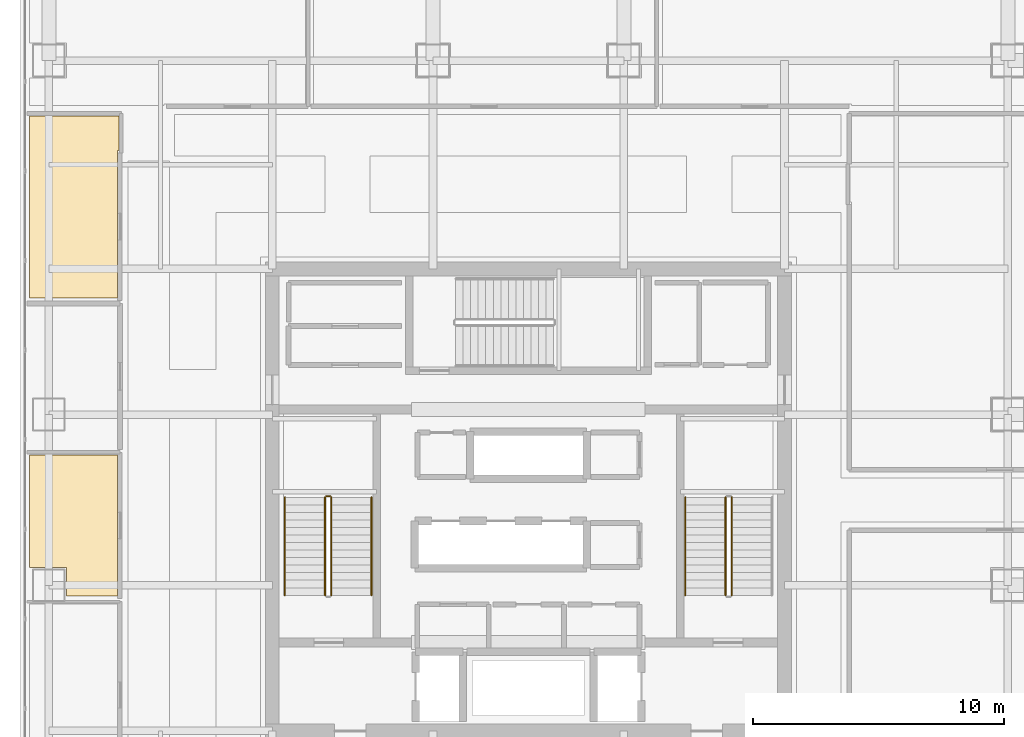
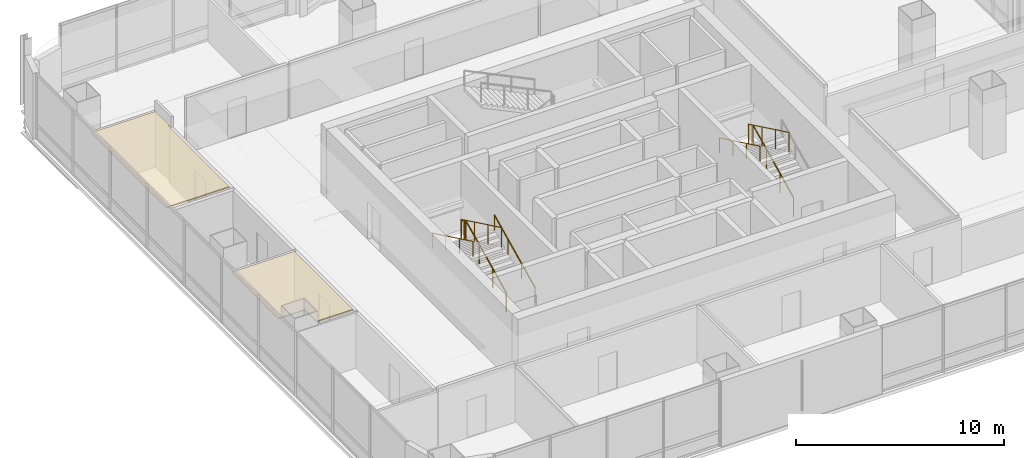
# One storey, part 38 of 44: 8 railings, 2 coverings.
"""IFC4 building model written with IfcOpenShell, lengths in metres."""

from ifc_helpers import new_model, si_unit, direction, frame, origin, origin_2d, place, context, subcontext, project, spatial, polyline, circle, outline, extrude, material, layer, layer_set, type_object, element, save


model = new_model("IFC4")

# Units and contexts
model_context = context("Model", 3, precision=1e-05, world=origin(), true_north=direction((0.0, 1.0)))
body_context = subcontext(model_context, "Body", "Model", "MODEL_VIEW")
ifc_project = project(units=[si_unit("LENGTHUNIT", "METRE"), si_unit("AREAUNIT", "SQUARE_METRE"), si_unit("VOLUMEUNIT", "CUBIC_METRE"), si_unit("PLANEANGLEUNIT", "RADIAN"), si_unit("MASSUNIT", "GRAM", prefix="KILO")], contexts=[model_context])

# Site, building, storey
site_placement = place(None, origin())
site = spatial("IfcSite", under=ifc_project, at=site_placement, CompositionType="ELEMENT")
building_placement = place(site_placement, origin())
building = spatial("IfcBuilding", under=site, at=building_placement, Name="Punatoya Terracotta Tower", CompositionType="ELEMENT")
storey_placement = place(building_placement, frame((0.0, 0.0, 267.60009765625)))
storey = spatial("IfcBuildingStorey", under=building, at=storey_placement, Name="L63", CompositionType="ELEMENT", Elevation=267.60009765625)

# Coverings
ifc_material_1 = material(Name="Acoustic Mineral Fibre Ceiling")
ifc_layer = layer(ifc_material_1, 0.06005859375)
ifc_layer_set = layer_set([ifc_layer], Name="Acoustic Mineral Fibre Ceiling")
covering_type = type_object("IfcCoveringType", Name="COV-CEIL-60", PredefinedType="CEILING", material=ifc_layer_set)
covering_1_placement = place(storey_placement, frame((0.0, 0.0, 3.239990234375)))
element("IfcCovering", 1, at=covering_1_placement, inside=storey, type_object=covering_type, Name="L63 Open-Plan Wellness Rest Room Acoustic Ceiling", PredefinedType="CEILING", context=body_context, shape_type="SweptSolid", body=[
    extrude(outline(polyline([(-19.8701171875, -2.699951171875), (-18.39990234375, -2.699951171875), (-18.39990234375, -3.830078125), (-16.3701171875, -3.830078125), (-16.3701171875, 1.7900390625), (-19.8701171875, 1.7900390625), (-19.8701171875, -2.699951171875)])), origin(), (0.0, 0.0, 1.0), 0.059814453125),
])
covering_2_placement = place(storey_placement, frame((0.0, 0.0, 3.239990234375)))
element("IfcCovering", 2, at=covering_2_placement, inside=storey, type_object=covering_type, Name="L63 Urban Analytics Laboratory Acoustic Ceiling", PredefinedType="CEILING", context=body_context, shape_type="SweptSolid", body=[
    extrude(outline(polyline([(-16.3701171875, 13.919921875), (-16.31005859375, 13.919921875), (-16.31005859375, 15.2900390625), (-19.8701171875, 15.2900390625), (-19.8701171875, 8.050048828125), (-16.3701171875, 8.050048828125), (-16.3701171875, 13.919921875)])), origin(), (0.0, 0.0, 1.0), 0.059814453125),
])

# Railings
ifc_material_2 = material(Name="Steel S355", Category="steel")
railing_type_1 = type_object("IfcRailingType", Name="RLG-GRD-1150", PredefinedType="GUARDRAIL", material=ifc_material_2)
railing_1_placement = place(storey_placement, frame((-7.85009765625, -3.800048828125, 0.14453125)))
element("IfcRailing", 3, at=railing_1_placement, inside=storey, type_object=railing_type_1, Name="L63 ST-1 stair guard 1", PredefinedType="GUARDRAIL", context=body_context, shape_type="SweptSolid", body=[
    extrude(circle(Radius=0.02392578125, at=origin_2d()), frame((0.0, 0.0, 1.1259765625), z_axis=(0.0, 0.900773802044, 0.434288564841), x_axis=(-1.0, 0.0, 0.0)), (0.0, 0.0, 1.0), 4.329833984375),
    extrude(circle(Radius=0.02099609375, at=origin_2d()), origin(), (0.0, 0.0, 1.0), 1.101806640625),
    extrude(circle(Radius=0.02099609375, at=origin_2d()), frame((0.0, 1.300048828125, 0.626708984375)), (0.0, 0.0, 1.0), 1.101806640625),
    extrude(circle(Radius=0.02099609375, at=origin_2d()), frame((0.0, 2.60009765625, 1.253662109375)), (0.0, 0.0, 1.0), 1.101806640625),
    extrude(circle(Radius=0.02099609375, at=origin_2d()), frame((0.0, 3.900146484375, 1.88037109375)), (0.0, 0.0, 1.0), 1.101806640625),
])
railing_2_placement = place(storey_placement, frame((-7.89990234375, 0.14990234375, 2.02490234375)))
element("IfcRailing", 4, at=railing_2_placement, inside=storey, type_object=railing_type_1, Name="L63 ST-1 stair guard 2", PredefinedType="GUARDRAIL", context=body_context, shape_type="SweptSolid", body=[
    extrude(circle(Radius=0.02392578125, at=origin_2d()), frame((0.0, 0.0, 1.1259765625), z_axis=(-1.0, 0.0, 0.0), x_axis=(0.0, -1.0, 0.0)), (0.0, 0.0, 1.0), 0.150146484375),
    extrude(circle(Radius=0.02099609375, at=origin_2d()), origin(), (0.0, 0.0, 1.0), 1.101806640625),
    extrude(circle(Radius=0.02099609375, at=origin_2d()), frame((-0.150146484375, 0.0, 0.0)), (0.0, 0.0, 1.0), 1.101806640625),
])
railing_3_placement = place(storey_placement, frame((-8.10009765625, 0.10009765625, 2.16943359375)))
element("IfcRailing", 5, at=railing_3_placement, inside=storey, type_object=railing_type_1, Name="L63 ST-1 stair guard 3", PredefinedType="GUARDRAIL", context=body_context, shape_type="SweptSolid", body=[
    extrude(circle(Radius=0.02392578125, at=origin_2d()), frame((0.0, 0.0, 1.1259765625), z_axis=(0.0, -0.900773802044, 0.434288564841), x_axis=(1.0, 0.0, 0.0)), (0.0, 0.0, 1.0), 4.329833984375),
    extrude(circle(Radius=0.02099609375, at=origin_2d()), origin(), (0.0, 0.0, 1.0), 1.101806640625),
    extrude(circle(Radius=0.02099609375, at=origin_2d()), frame((0.0, -1.300048828125, 0.626708984375)), (0.0, 0.0, 1.0), 1.101806640625),
    extrude(circle(Radius=0.02099609375, at=origin_2d()), frame((0.0, -2.60009765625, 1.253662109375)), (0.0, 0.0, 1.0), 1.101806640625),
    extrude(circle(Radius=0.02099609375, at=origin_2d()), frame((0.0, -3.900146484375, 1.88037109375)), (0.0, 0.0, 1.0), 1.101806640625),
])
railing_4_placement = place(storey_placement, frame((8.10009765625, -3.800048828125, 0.14453125)))
element("IfcRailing", 6, at=railing_4_placement, inside=storey, type_object=railing_type_1, Name="L63 ST-2 stair guard 1", PredefinedType="GUARDRAIL", context=body_context, shape_type="SweptSolid", body=[
    extrude(circle(Radius=0.02392578125, at=origin_2d()), frame((0.0, 0.0, 1.1259765625), z_axis=(0.0, 0.900773802044, 0.434288564841), x_axis=(-1.0, 0.0, 0.0)), (0.0, 0.0, 1.0), 4.329833984375),
    extrude(circle(Radius=0.02099609375, at=origin_2d()), origin(), (0.0, 0.0, 1.0), 1.101806640625),
    extrude(circle(Radius=0.02099609375, at=origin_2d()), frame((0.0, 1.300048828125, 0.626708984375)), (0.0, 0.0, 1.0), 1.101806640625),
    extrude(circle(Radius=0.02099609375, at=origin_2d()), frame((0.0, 2.60009765625, 1.253662109375)), (0.0, 0.0, 1.0), 1.101806640625),
    extrude(circle(Radius=0.02099609375, at=origin_2d()), frame((0.0, 3.900146484375, 1.88037109375)), (0.0, 0.0, 1.0), 1.101806640625),
])
railing_5_placement = place(storey_placement, frame((7.85009765625, 0.10009765625, 2.16943359375)))
element("IfcRailing", 7, at=railing_5_placement, inside=storey, type_object=railing_type_1, Name="L63 ST-2 stair guard 3", PredefinedType="GUARDRAIL", context=body_context, shape_type="SweptSolid", body=[
    extrude(circle(Radius=0.02392578125, at=origin_2d()), frame((0.0, 0.0, 1.1259765625), z_axis=(0.0, -0.900773802044, 0.434288564841), x_axis=(1.0, 0.0, 0.0)), (0.0, 0.0, 1.0), 4.329833984375),
    extrude(circle(Radius=0.02099609375, at=origin_2d()), origin(), (0.0, 0.0, 1.0), 1.101806640625),
    extrude(circle(Radius=0.02099609375, at=origin_2d()), frame((0.0, -1.300048828125, 0.626708984375)), (0.0, 0.0, 1.0), 1.101806640625),
    extrude(circle(Radius=0.02099609375, at=origin_2d()), frame((0.0, -2.60009765625, 1.253662109375)), (0.0, 0.0, 1.0), 1.101806640625),
    extrude(circle(Radius=0.02099609375, at=origin_2d()), frame((0.0, -3.900146484375, 1.88037109375)), (0.0, 0.0, 1.0), 1.101806640625),
])
railing_type_2 = type_object("IfcRailingType", Name="RLG-HND-900", PredefinedType="HANDRAIL", material=ifc_material_2)
railing_6_placement = place(storey_placement, frame((-6.25, -3.800048828125, 0.14453125)))
element("IfcRailing", 8, at=railing_6_placement, inside=storey, type_object=railing_type_2, Name="L63 ST-1 stair handrail 1", PredefinedType="HANDRAIL", context=body_context, shape_type="SweptSolid", body=[
    extrude(circle(Radius=0.02392578125, at=origin_2d()), frame((0.0, 0.0, 0.8759765625), z_axis=(0.0, 0.900773802044, 0.434288564841), x_axis=(-1.0, 0.0, 0.0)), (0.0, 0.0, 1.0), 4.329833984375),
    extrude(circle(Radius=0.02099609375, at=origin_2d()), origin(), (0.0, 0.0, 1.0), 0.851806640625),
    extrude(circle(Radius=0.02099609375, at=origin_2d()), frame((0.0, 1.300048828125, 0.626708984375)), (0.0, 0.0, 1.0), 0.851806640625),
    extrude(circle(Radius=0.02099609375, at=origin_2d()), frame((0.0, 2.60009765625, 1.253662109375)), (0.0, 0.0, 1.0), 0.851806640625),
    extrude(circle(Radius=0.02099609375, at=origin_2d()), frame((0.0, 3.900146484375, 1.88037109375)), (0.0, 0.0, 1.0), 0.851806640625),
])
for number, where, name in (
    (9, (-9.699951171875, 0.10009765625, 2.16943359375), "L63 ST-1 stair handrail 2"),
    (10, (6.25, 0.10009765625, 2.16943359375), "L63 ST-2 stair handrail 2"),
):
    element("IfcRailing", number, at=place(storey_placement, frame(where)), inside=storey, type_object=railing_type_2, Name=name, PredefinedType="HANDRAIL", context=body_context, shape_type="SweptSolid", body=[
        extrude(circle(Radius=0.02392578125, at=origin_2d()), frame((0.0, 0.0, 0.8759765625), z_axis=(0.0, -0.900773802044, 0.434288564841), x_axis=(1.0, 0.0, 0.0)), (0.0, 0.0, 1.0), 4.329833984375),
        extrude(circle(Radius=0.02099609375, at=origin_2d()), origin(), (0.0, 0.0, 1.0), 0.851806640625),
        extrude(circle(Radius=0.02099609375, at=origin_2d()), frame((0.0, -1.300048828125, 0.626708984375)), (0.0, 0.0, 1.0), 0.851806640625),
        extrude(circle(Radius=0.02099609375, at=origin_2d()), frame((0.0, -2.60009765625, 1.253662109375)), (0.0, 0.0, 1.0), 0.851806640625),
        extrude(circle(Radius=0.02099609375, at=origin_2d()), frame((0.0, -3.900146484375, 1.88037109375)), (0.0, 0.0, 1.0), 0.851806640625),
    ])

save(model, "model.ifc")
